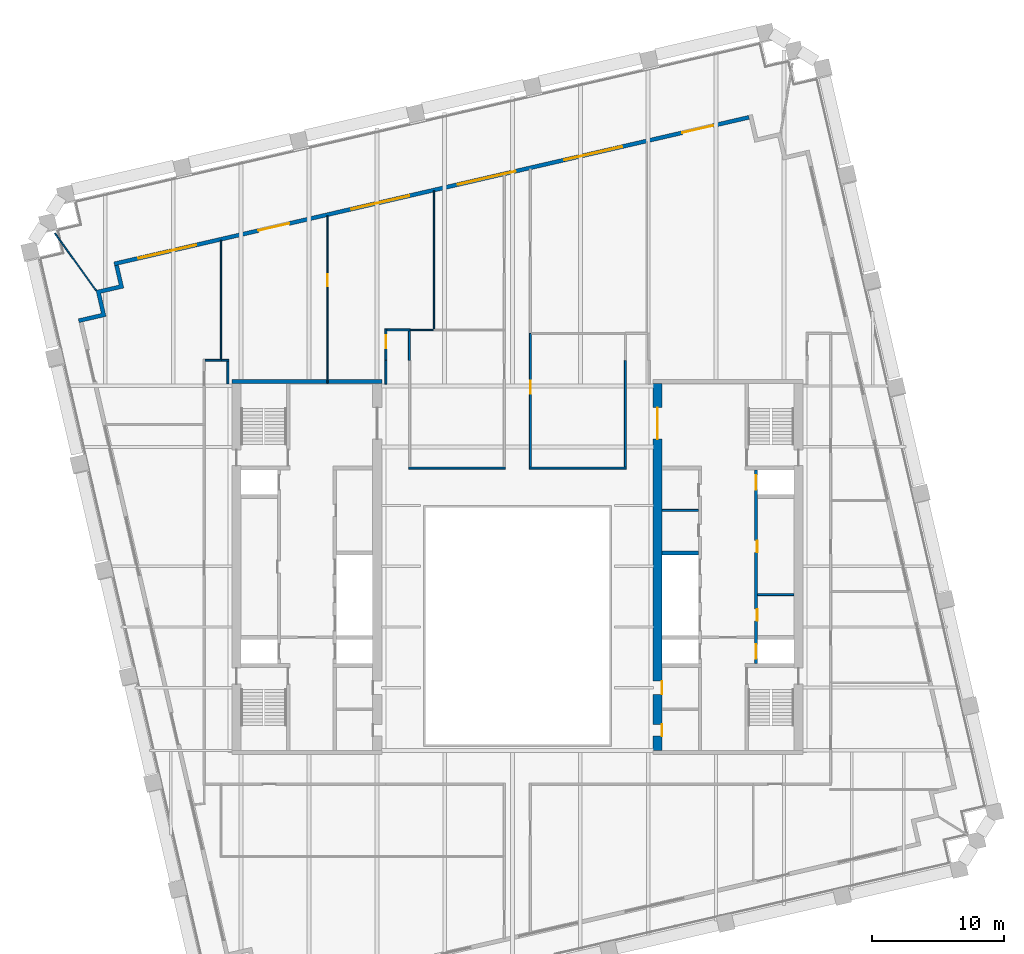
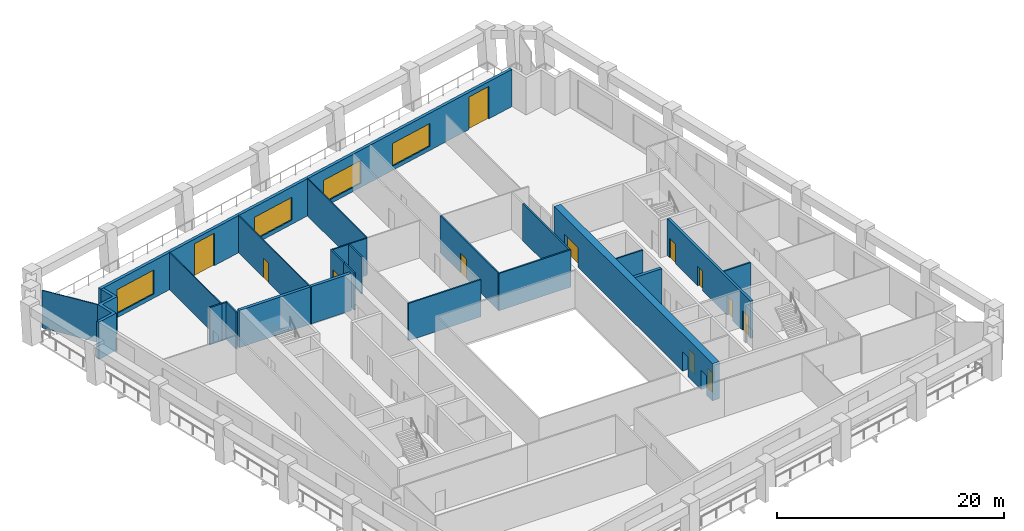
# One storey, part 6 of 10: 24 walls, 12 doors, 4 windows, 16 openings.
"""IFC4 building model written with IfcOpenShell, lengths in metres."""

from ifc_helpers import new_model, si_unit, direction, frame, frame_2d, origin, place, context, subcontext, project, spatial, polyline, rectangle, outline, extrude, material, layer, layer_set, type_object, element, fill, save


model = new_model("IFC4")

# Units and contexts
model_context = context("Model", 3, precision=1e-05, world=origin(), true_north=direction((0.0, 1.0)))
body_context = subcontext(model_context, "Body", "Model", "MODEL_VIEW")
ifc_project = project(units=[si_unit("LENGTHUNIT", "METRE"), si_unit("AREAUNIT", "SQUARE_METRE"), si_unit("VOLUMEUNIT", "CUBIC_METRE"), si_unit("PLANEANGLEUNIT", "RADIAN"), si_unit("MASSUNIT", "GRAM", prefix="KILO")], contexts=[model_context])

# Site, building, storey
site_placement = place(None, origin())
site = spatial("IfcSite", under=ifc_project, at=site_placement, CompositionType="ELEMENT")
building_placement = place(site_placement, origin())
building = spatial("IfcBuilding", under=site, at=building_placement, Name="Ogive Exchange Tower", CompositionType="ELEMENT")
storey_placement = place(building_placement, frame((0.0, 0.0, 205.199951171875)))
storey = spatial("IfcBuildingStorey", under=building, at=storey_placement, Name="L45", CompositionType="ELEMENT", Elevation=205.199951171875)

# Walls
ifc_material_1 = material(Name="Gypsum board partition")
ifc_layer_1 = layer(ifc_material_1, 0.14990234375)
ifc_layer_set_1 = layer_set([ifc_layer_1], Name="Core room partition 150 gypsum")
wall_type_1 = type_object("IfcWallType", Name="Core room partition 150 gypsum", PredefinedType="PARTITIONING", material=ifc_layer_set_1)
for number, where, z_axis, x_axis, name in (
    (1, (18.25, 9.39990234375, 0.0), (0.0, 0.0, 1.0), (1.0, 0.0, 0.0), "E row A bay partition 1-1"),
    (2, (11.0, 15.800048828125, 0.0), (0.0, 0.0, 1.0), (1.0, 0.0, 0.0), "E row B bay partition 4-1"),
):
    element("IfcWall", number, at=place(storey_placement, frame(where, z_axis=z_axis, x_axis=x_axis)), inside=storey, type_object=wall_type_1, Name=name, PredefinedType="PARTITIONING", context=body_context, shape_type="SweptSolid", body=[
        extrude(rectangle(XDim=2.75, YDim=0.14990234375, at=frame_2d((1.375, 0.0))), origin(), (0.0, 0.0, 1.0), 4.0),
    ])
ifc_material_2 = material(Name="Fire partition EI 60 150")
ifc_layer_2 = layer(ifc_material_2, 0.14990234375)
ifc_layer_set_2 = layer_set([ifc_layer_2], Name="Fire partition EI 60 150")
wall_type_2 = type_object("IfcWallType", Name="Fire partition EI 60 150", PredefinedType="PARTITIONING", material=ifc_layer_set_2)
wall_1_placement = place(storey_placement, frame((-23.72509765625, 27.199951171875, 0.0), z_axis=(0.0, 0.0, 1.0), x_axis=(1.0, 0.0, 0.0)))
element("IfcWall", 3, at=wall_1_placement, inside=storey, type_object=wall_type_2, Name="L45-PWL-005", PredefinedType="PARTITIONING", context=body_context, shape_type="SweptSolid", body=[
    extrude(rectangle(XDim=1.255126953125, YDim=0.14990234375, at=frame_2d((0.62744140625, 0.0))), origin(), (0.0, 0.0, 1.0), 4.0),
])
wall_2_placement = place(storey_placement, frame((-22.469970703125, 27.199951171875, 0.0), z_axis=(0.0, 0.0, 1.0), x_axis=(1.0, 0.0, 0.0)))
element("IfcWall", 4, at=wall_2_placement, inside=storey, type_object=wall_type_2, Name="L45-PWL-010", PredefinedType="PARTITIONING", context=body_context, shape_type="SweptSolid", body=[
    extrude(rectangle(XDim=0.544921875, YDim=0.14990234375, at=frame_2d((0.2724609375, 0.0))), origin(), (0.0, 0.0, 1.0), 4.0),
])
wall_3_placement = place(storey_placement, frame((-22.0, 27.125, 0.0), z_axis=(0.0, 0.0, 1.0), x_axis=(0.0, -1.0, 0.0)))
element("IfcWall", 5, at=wall_3_placement, inside=storey, type_object=wall_type_2, Name="L45-PWL-011", PredefinedType="PARTITIONING", context=body_context, shape_type="SweptSolid", body=[
    extrude(rectangle(XDim=1.72509765625, YDim=0.14990234375, at=frame_2d((0.862548828125, 0.0))), origin(), (0.0, 0.0, 1.0), 4.0),
])
wall_4_placement = place(storey_placement, frame((-10.0, 25.389892578125, 0.0), z_axis=(0.0, 0.0, 1.0), x_axis=(0.0, 1.0, 0.0)))
element("IfcWall", 6, at=wall_4_placement, inside=storey, type_object=wall_type_2, Name="L45-PWL-014", PredefinedType="PARTITIONING", context=body_context, shape_type="SweptSolid", body=[
    extrude(rectangle(XDim=1.81005859375, YDim=0.14990234375, at=frame_2d((0.905029296875, 0.0))), origin(), (0.0, 0.0, 1.0), 4.0),
])

# Wall, opening, door
wall_5_placement = place(storey_placement, frame((-9.989990234375, 27.199951171875, 0.0), z_axis=(0.0, 0.0, 1.0), x_axis=(0.0, 1.0, 0.0)))
wall_5 = element("IfcWall", 7, at=wall_5_placement, inside=storey, type_object=wall_type_2, Name="L45-PWL-015", PredefinedType="PARTITIONING", context=body_context, shape_type="SweptSolid", body=[
    extrude(rectangle(XDim=2.375, YDim=0.14990234375, at=frame_2d((1.1875, 0.0))), origin(), (0.0, 0.0, 1.0), 4.0),
])
opening_1_placement = place(wall_5_placement, frame((0.89990234375, 0.0, 0.0)))
opening_1 = element("IfcOpeningElement", 8, at=opening_1_placement, cuts=wall_5, Name="Opening L45-I03", PredefinedType="OPENING", context=body_context, shape_type="SweptSolid", body=[
    extrude(rectangle(XDim=1.0, YDim=2.10009765625, at=frame_2d((0.5, 1.050048828125))), frame((0.0, 0.0849609375, 0.0), z_axis=(0.0, -1.0, 0.0), x_axis=(1.0, 0.0, 0.0)), (0.0, 0.0, 1.0), 0.169921875),
])
ifc_material_3 = material(Name="Fire door FD 30S 1000 x 2100")
door_type_1 = type_object("IfcDoorType", Name="Fire door FD 30S 1000 x 2100", OperationType="NOTDEFINED", PredefinedType="DOOR", material=ifc_material_3)
door_1_placement = place(opening_1_placement, origin())
door_1 = element("IfcDoor", 9, at=door_1_placement, inside=storey, type_object=door_type_1, Name="L45-IDR-003", ObjectType="DT3", OperationType="SINGLE_SWING_LEFT", OverallHeight=2.10009765625, OverallWidth=1.0, PredefinedType="DOOR", context=body_context, shape_type="SweptSolid", body=[
    extrude(rectangle(XDim=1.0, YDim=2.10009765625, at=frame_2d((0.5, 1.050048828125))), frame((0.0, 0.02490234375, 0.0), z_axis=(0.0, -1.0, 0.0), x_axis=(1.0, 0.0, 0.0)), (0.0, 0.0, 1.0), 0.050048828125),
])
fill(opening_1, door_1)

# Walls
wall_6_placement = place(storey_placement, frame((-9.9150390625, 29.5, 0.0), z_axis=(0.0, 0.0, 1.0), x_axis=(1.0, 0.0, 0.0)))
element("IfcWall", 10, at=wall_6_placement, inside=storey, type_object=wall_type_2, Name="L45-PWL-016", PredefinedType="PARTITIONING", context=body_context, shape_type="SweptSolid", body=[
    extrude(rectangle(XDim=1.780029296875, YDim=0.14990234375, at=frame_2d((0.89013671875, 0.0))), origin(), (0.0, 0.0, 1.0), 4.0),
])
wall_7_placement = place(storey_placement, frame((-8.2099609375, 29.425048828125, 0.0), z_axis=(0.0, 0.0, 1.0), x_axis=(0.0, -1.0, 0.0)))
element("IfcWall", 11, at=wall_7_placement, inside=storey, type_object=wall_type_2, Name="L45-PWL-017", PredefinedType="PARTITIONING", context=body_context, shape_type="SweptSolid", body=[
    extrude(rectangle(XDim=2.22509765625, YDim=0.14990234375, at=frame_2d((1.112548828125, 0.0))), origin(), (0.0, 0.0, 1.0), 4.0),
])
for number, where, z_axis, x_axis, name in (
    (12, (-8.27490234375, 19.0, 0.0), (0.0, 0.0, 1.0), (1.0, 0.0, 0.0), "L45-PWL-019"),
    (13, (0.9150390625, 19.0, 0.0), (0.0, 0.0, 1.0), (1.0, 0.0, 0.0), "L45-PWL-030"),
):
    element("IfcWall", number, at=place(storey_placement, frame(where, z_axis=z_axis, x_axis=x_axis)), inside=storey, type_object=wall_type_2, Name=name, PredefinedType="PARTITIONING", context=body_context, shape_type="SweptSolid", body=[
        extrude(rectangle(XDim=7.35986328125, YDim=0.14990234375, at=frame_2d((3.679931640625, 0.0))), origin(), (0.0, 0.0, 1.0), 4.0),
    ])

# Wall, opening, door
wall_8_placement = place(storey_placement, frame((0.989990234375, 29.239990234375, 0.0), z_axis=(0.0, 0.0, 1.0), x_axis=(0.0, -1.0, 0.0)))
wall_8 = element("IfcWall", 14, at=wall_8_placement, inside=storey, type_object=wall_type_2, Name="L45-PWL-031", PredefinedType="PARTITIONING", context=body_context, shape_type="SweptSolid", body=[
    extrude(rectangle(XDim=10.1650390625, YDim=0.14990234375, at=frame_2d((5.08251953125, 0.0))), origin(), (0.0, 0.0, 1.0), 4.0),
])
opening_2_placement = place(wall_8_placement, frame((3.590087890625, 0.0, 0.0)))
opening_2 = element("IfcOpeningElement", 15, at=opening_2_placement, cuts=wall_8, Name="Opening L45-I09", PredefinedType="OPENING", context=body_context, shape_type="SweptSolid", body=[
    extrude(rectangle(XDim=1.0, YDim=2.10009765625, at=frame_2d((0.5, 1.050048828125))), frame((0.0, 0.0849609375, 0.0), z_axis=(0.0, -1.0, 0.0), x_axis=(1.0, 0.0, 0.0)), (0.0, 0.0, 1.0), 0.169921875),
])
door_2_placement = place(opening_2_placement, origin())
door_2 = element("IfcDoor", 16, at=door_2_placement, inside=storey, type_object=door_type_1, Name="L45-IDR-009", ObjectType="DT3", OperationType="SINGLE_SWING_RIGHT", OverallHeight=2.10009765625, OverallWidth=1.0, PredefinedType="DOOR", context=body_context, shape_type="SweptSolid", body=[
    extrude(rectangle(XDim=1.0, YDim=2.10009765625, at=frame_2d((0.5, 1.050048828125))), frame((0.0, 0.02490234375, 0.0), z_axis=(0.0, -1.0, 0.0), x_axis=(1.0, 0.0, 0.0)), (0.0, 0.0, 1.0), 0.050048828125),
])
fill(opening_2, door_2)

# Wall
wall_9_placement = place(storey_placement, frame((8.199951171875, 19.074951171875, 0.0), z_axis=(0.0, 0.0, 1.0), x_axis=(0.0, 1.0, 0.0)))
element("IfcWall", 17, at=wall_9_placement, inside=storey, type_object=wall_type_2, Name="L45-PWL-034", PredefinedType="PARTITIONING", context=body_context, shape_type="SweptSolid", body=[
    extrude(rectangle(XDim=8.125, YDim=0.14990234375, at=frame_2d((4.0625, 0.0))), origin(), (0.0, 0.0, 1.0), 4.0),
])

# Wall, openings, doors, windows
ifc_material_4 = material(Name="Precast concrete C40/50", Category="concrete")
ifc_layer_3 = layer(ifc_material_4, 0.300048828125)
ifc_layer_set_3 = layer_set([ifc_layer_3], Name="Limestone-faced wall 300")
wall_type_3 = type_object("IfcWallType", Name="Limestone-faced wall 300", PredefinedType="STANDARD", material=ifc_layer_set_3)
wall_10_placement = place(storey_placement, frame((17.592041015625, 45.6572265625, 0.0), z_axis=(0.0, 0.0, 1.0), x_axis=(-0.974370243697, -0.224950279389, 0.0)))
wall_10 = element("IfcWall", 18, at=wall_10_placement, inside=storey, type_object=wall_type_3, Name="External wall N3", PredefinedType="STANDARD", context=body_context, shape_type="SweptSolid", body=[
    extrude(rectangle(XDim=49.499755859375, YDim=0.300048828125, at=frame_2d((24.75, 0.0))), origin(), (0.0, 0.0, 1.0), 4.0),
])
opening_3_placement = place(wall_10_placement, frame((2.800048828125, 0.0, 0.0)))
opening_3 = element("IfcOpeningElement", 19, at=opening_3_placement, cuts=wall_10, Name="Opening D1", PredefinedType="OPENING", context=body_context, shape_type="SweptSolid", body=[
    extrude(rectangle(XDim=2.39990234375, YDim=3.5, at=frame_2d((1.199951171875, 1.75))), frame((0.0, 0.159912109375, 0.0), z_axis=(0.0, -1.0, 0.0), x_axis=(1.0, 0.0, 0.0)), (0.0, 0.0, 1.0), 0.320068359375),
])
opening_4_placement = place(wall_10_placement, frame((9.89990234375, 0.0, 0.449951171875)))
opening_4 = element("IfcOpeningElement", 20, at=opening_4_placement, cuts=wall_10, Name="Opening W1Q", PredefinedType="OPENING", context=body_context, shape_type="SweptSolid", body=[
    extrude(rectangle(XDim=4.5, YDim=2.449951171875, at=frame_2d((2.25, 1.22509765625))), frame((0.0, 0.159912109375, 0.0), z_axis=(0.0, -1.0, 0.0), x_axis=(1.0, 0.0, 0.0)), (0.0, 0.0, 1.0), 0.320068359375),
])
opening_5_placement = place(wall_10_placement, frame((18.199951171875, 0.0, 0.449951171875)))
opening_5 = element("IfcOpeningElement", 21, at=opening_5_placement, cuts=wall_10, Name="Opening W1Q", PredefinedType="OPENING", context=body_context, shape_type="SweptSolid", body=[
    extrude(rectangle(XDim=4.5, YDim=2.449951171875, at=frame_2d((2.25, 1.22509765625))), frame((0.0, 0.159912109375, 0.0), z_axis=(0.0, -1.0, 0.0), x_axis=(1.0, 0.0, 0.0)), (0.0, 0.0, 1.0), 0.320068359375),
])
opening_6_placement = place(wall_10_placement, frame((26.5, 0.0, 0.449951171875)))
opening_6 = element("IfcOpeningElement", 22, at=opening_6_placement, cuts=wall_10, Name="Opening W1Q", PredefinedType="OPENING", context=body_context, shape_type="SweptSolid", body=[
    extrude(rectangle(XDim=4.5, YDim=2.449951171875, at=frame_2d((2.25, 1.22509765625))), frame((0.0, 0.159912109375, 0.0), z_axis=(0.0, -1.0, 0.0), x_axis=(1.0, 0.0, 0.0)), (0.0, 0.0, 1.0), 0.320068359375),
])
opening_7_placement = place(wall_10_placement, frame((35.85009765625, 0.0, 0.0)))
opening_7 = element("IfcOpeningElement", 23, at=opening_7_placement, cuts=wall_10, Name="Opening D1", PredefinedType="OPENING", context=body_context, shape_type="SweptSolid", body=[
    extrude(rectangle(XDim=2.39990234375, YDim=3.5, at=frame_2d((1.199951171875, 1.75))), frame((0.0, 0.159912109375, 0.0), z_axis=(0.0, -1.0, 0.0), x_axis=(1.0, 0.0, 0.0)), (0.0, 0.0, 1.0), 0.320068359375),
])
opening_8_placement = place(wall_10_placement, frame((43.10009765625, 0.0, 0.449951171875)))
opening_8 = element("IfcOpeningElement", 24, at=opening_8_placement, cuts=wall_10, Name="Opening W1M", PredefinedType="OPENING", context=body_context, shape_type="SweptSolid", body=[
    extrude(rectangle(XDim=4.5, YDim=2.574951171875, at=frame_2d((2.25, 1.28759765625))), frame((0.0, 0.159912109375, 0.0), z_axis=(0.0, -1.0, 0.0), x_axis=(1.0, 0.0, 0.0)), (0.0, 0.0, 1.0), 0.320068359375),
])
ifc_material_5 = material(Name="Clear glass in bronze frame", Category="glass")
door_type_2 = type_object("IfcDoorType", Name="Sliding loggia door 2400 x 3500", OperationType="DOUBLE_DOOR_SLIDING", PredefinedType="DOOR", material=ifc_material_5)
door_3_placement = place(opening_3_placement, origin())
door_3 = element("IfcDoor", 25, at=door_3_placement, inside=storey, type_object=door_type_2, Name="Loggia door N00", OperationType="DOUBLE_DOOR_SLIDING", OverallHeight=3.5, OverallWidth=2.39990234375, PredefinedType="DOOR", context=body_context, shape_type="SweptSolid", body=[
    extrude(rectangle(XDim=2.39990234375, YDim=3.5, at=frame_2d((1.199951171875, 1.75))), frame((0.0, 0.02490234375, 0.0), z_axis=(0.0, -1.0, 0.0), x_axis=(1.0, 0.0, 0.0)), (0.0, 0.0, 1.0), 0.050048828125),
])
fill(opening_3, door_3)
door_4_placement = place(opening_7_placement, origin())
door_4 = element("IfcDoor", 26, at=door_4_placement, inside=storey, type_object=door_type_2, Name="Loggia door N04", OperationType="DOUBLE_DOOR_SLIDING", OverallHeight=3.5, OverallWidth=2.39990234375, PredefinedType="DOOR", context=body_context, shape_type="SweptSolid", body=[
    extrude(rectangle(XDim=2.39990234375, YDim=3.5, at=frame_2d((1.199951171875, 1.75))), frame((0.0, 0.02490234375, 0.0), z_axis=(0.0, -1.0, 0.0), x_axis=(1.0, 0.0, 0.0)), (0.0, 0.0, 1.0), 0.050048828125),
])
fill(opening_7, door_4)
window_type_1 = type_object("IfcWindowType", Name="Twin lancet window 4500 x 2450", PartitioningType="DOUBLE_PANEL_VERTICAL", PredefinedType="WINDOW", material=ifc_material_5)
window_1_placement = place(opening_4_placement, origin())
window_1 = element("IfcWindow", 27, at=window_1_placement, inside=storey, type_object=window_type_1, Name="Window N01", OverallHeight=2.449951171875, OverallWidth=4.5, PartitioningType="DOUBLE_PANEL_VERTICAL", PredefinedType="WINDOW", context=body_context, shape_type="SweptSolid", body=[
    extrude(rectangle(XDim=4.5, YDim=2.449951171875, at=frame_2d((2.25, 1.22509765625))), frame((0.0, 0.030029296875, 0.0), z_axis=(0.0, -1.0, 0.0), x_axis=(1.0, 0.0, 0.0)), (0.0, 0.0, 1.0), 0.06005859375),
])
fill(opening_4, window_1)
window_2_placement = place(opening_5_placement, origin())
window_2 = element("IfcWindow", 28, at=window_2_placement, inside=storey, type_object=window_type_1, Name="Window N02", OverallHeight=2.449951171875, OverallWidth=4.5, PartitioningType="DOUBLE_PANEL_VERTICAL", PredefinedType="WINDOW", context=body_context, shape_type="SweptSolid", body=[
    extrude(rectangle(XDim=4.5, YDim=2.449951171875, at=frame_2d((2.25, 1.22509765625))), frame((0.0, 0.030029296875, 0.0), z_axis=(0.0, -1.0, 0.0), x_axis=(1.0, 0.0, 0.0)), (0.0, 0.0, 1.0), 0.06005859375),
])
fill(opening_5, window_2)
window_3_placement = place(opening_6_placement, origin())
window_3 = element("IfcWindow", 29, at=window_3_placement, inside=storey, type_object=window_type_1, Name="Window N03", OverallHeight=2.449951171875, OverallWidth=4.5, PartitioningType="DOUBLE_PANEL_VERTICAL", PredefinedType="WINDOW", context=body_context, shape_type="SweptSolid", body=[
    extrude(rectangle(XDim=4.5, YDim=2.449951171875, at=frame_2d((2.25, 1.22509765625))), frame((0.0, 0.030029296875, 0.0), z_axis=(0.0, -1.0, 0.0), x_axis=(1.0, 0.0, 0.0)), (0.0, 0.0, 1.0), 0.06005859375),
])
fill(opening_6, window_3)
window_type_2 = type_object("IfcWindowType", Name="Twin lancet window 4500 x 2575", PartitioningType="DOUBLE_PANEL_VERTICAL", PredefinedType="WINDOW", material=ifc_material_5)
window_4_placement = place(opening_8_placement, origin())
window_4 = element("IfcWindow", 30, at=window_4_placement, inside=storey, type_object=window_type_2, Name="Window N05", OverallHeight=2.574951171875, OverallWidth=4.5, PartitioningType="DOUBLE_PANEL_VERTICAL", PredefinedType="WINDOW", context=body_context, shape_type="SweptSolid", body=[
    extrude(rectangle(XDim=4.5, YDim=2.574951171875, at=frame_2d((2.25, 1.28759765625))), frame((0.0, 0.030029296875, 0.0), z_axis=(0.0, -1.0, 0.0), x_axis=(1.0, 0.0, 0.0)), (0.0, 0.0, 1.0), 0.06005859375),
])
fill(opening_8, window_4)

# Walls
wall_11_placement = place(storey_placement, origin())
element("IfcWall", 31, at=wall_11_placement, inside=storey, type_object=wall_type_3, Name="External corner wall C3", PredefinedType="STANDARD", context=body_context, shape_type="SweptSolid", body=[
    extrude(outline(polyline([(-31.616943359375, 30.755615234375), (-32.02197265625, 32.509521484375), (-30.26806640625, 32.914306640625), (-30.60546875, 34.3759765625), (-30.31298828125, 34.443359375), (-29.908203125, 32.689697265625), (-31.662109375, 32.28466796875), (-31.257080078125, 30.53076171875), (-33.30322265625, 30.058349609375), (-33.370849609375, 30.3505859375), (-31.616943359375, 30.755615234375)])), origin(), (0.0, 0.0, 1.0), 4.0),
])
ifc_material_6 = material(Name="Laminated safety glass in steel frame", Category="steel")
ifc_layer_4 = layer(ifc_material_6, 0.10009765625)
ifc_layer_set_4 = layer_set([ifc_layer_4], Name="Loggia end screen 100")
wall_type_4 = type_object("IfcWallType", Name="Loggia end screen 100", PredefinedType="STANDARD", material=ifc_layer_set_4)
wall_12_placement = place(storey_placement, frame((-32.02197265625, 32.509521484375, -0.050048828125), z_axis=(0.0, 0.0, 1.0), x_axis=(-0.5840277604, 0.811733684826, 0.0)))
element("IfcWall", 32, at=wall_12_placement, inside=storey, type_object=wall_type_4, Name="Loggia end screen C3", PredefinedType="STANDARD", context=body_context, shape_type="SweptSolid", body=[
    extrude(rectangle(XDim=5.341552734375, YDim=0.10009765625, at=frame_2d((2.6708984375, 0.0))), origin(), (0.0, 0.0, 1.0), 4.050048828125),
])
ifc_material_7 = material(Name="Partition 100 gypsum")
ifc_layer_5 = layer(ifc_material_7, 0.10009765625)
ifc_layer_set_5 = layer_set([ifc_layer_5], Name="Partition 100 gypsum")
wall_type_5 = type_object("IfcWallType", Name="Partition 100 gypsum", PredefinedType="PARTITIONING", material=ifc_layer_set_5)
wall_13_placement = place(storey_placement, frame((-22.52001953125, 27.27490234375, 0.0), z_axis=(0.0, 0.0, 1.0), x_axis=(0.0, 1.0, 0.0)))
element("IfcWall", 33, at=wall_13_placement, inside=storey, type_object=wall_type_5, Name="L45-PWL-009", PredefinedType="PARTITIONING", context=body_context, shape_type="SweptSolid", body=[
    extrude(rectangle(XDim=9.050048828125, YDim=0.10009765625, at=frame_2d((4.52490234375, 0.0))), origin(), (0.0, 0.0, 1.0), 4.0),
])

# Wall, opening, door
wall_14_placement = place(storey_placement, frame((-14.429931640625, 38.193115234375, 0.0), z_axis=(0.0, 0.0, 1.0), x_axis=(0.0, -1.0, 0.0)))
wall_14 = element("IfcWall", 34, at=wall_14_placement, inside=storey, type_object=wall_type_5, Name="L45-PWL-012", PredefinedType="PARTITIONING", context=body_context, shape_type="SweptSolid", body=[
    extrude(rectangle(XDim=12.793212890625, YDim=0.10009765625, at=frame_2d((6.396484375, 0.0))), origin(), (0.0, 0.0, 1.0), 4.0),
])
opening_9_placement = place(wall_14_placement, frame((4.472900390625, 0.0, 0.0)))
opening_9 = element("IfcOpeningElement", 35, at=opening_9_placement, cuts=wall_14, Name="Opening L45-I01", PredefinedType="OPENING", context=body_context, shape_type="SweptSolid", body=[
    extrude(rectangle(XDim=0.89990234375, YDim=2.10009765625, at=frame_2d((0.449951171875, 1.050048828125))), frame((0.0, 0.06005859375, 0.0), z_axis=(0.0, -1.0, 0.0), x_axis=(1.0, 0.0, 0.0)), (0.0, 0.0, 1.0), 0.1201171875),
])
ifc_material_8 = material(Name="Door 900 x 2100")
door_type_3 = type_object("IfcDoorType", Name="Door 900 x 2100", OperationType="NOTDEFINED", PredefinedType="DOOR", material=ifc_material_8)
door_5_placement = place(opening_9_placement, frame((0.89990234375, 0.0, 0.0), z_axis=(0.0, 0.0, 1.0), x_axis=(-1.0, 0.0, 0.0)))
door_5 = element("IfcDoor", 36, at=door_5_placement, inside=storey, type_object=door_type_3, Name="L45-IDR-001", ObjectType="DT1", OperationType="SINGLE_SWING_RIGHT", OverallHeight=2.10009765625, OverallWidth=0.89990234375, PredefinedType="DOOR", context=body_context, shape_type="SweptSolid", body=[
    extrude(rectangle(XDim=0.89990234375, YDim=2.10009765625, at=frame_2d((0.449951171875, 1.050048828125))), frame((0.0, 0.02490234375, 0.0), z_axis=(0.0, -1.0, 0.0), x_axis=(1.0, 0.0, 0.0)), (0.0, 0.0, 1.0), 0.050048828125),
])
fill(opening_9, door_5)

# Walls
wall_15_placement = place(storey_placement, frame((-8.135009765625, 29.5, 0.0), z_axis=(0.0, 0.0, 1.0), x_axis=(1.0, 0.0, 0.0)))
element("IfcWall", 37, at=wall_15_placement, inside=storey, type_object=wall_type_5, Name="L45-PWL-018", PredefinedType="PARTITIONING", context=body_context, shape_type="SweptSolid", body=[
    extrude(rectangle(XDim=1.7451171875, YDim=0.10009765625, at=frame_2d((0.87255859375, 0.0))), origin(), (0.0, 0.0, 1.0), 4.0),
])
wall_16_placement = place(storey_placement, frame((-6.340087890625, 40.06103515625, 0.0), z_axis=(0.0, 0.0, 1.0), x_axis=(0.0, -1.0, 0.0)))
element("IfcWall", 38, at=wall_16_placement, inside=storey, type_object=wall_type_5, Name="L45-PWL-022", PredefinedType="PARTITIONING", context=body_context, shape_type="SweptSolid", body=[
    extrude(rectangle(XDim=10.510986328125, YDim=0.10009765625, at=frame_2d((5.25537109375, 0.0))), origin(), (0.0, 0.0, 1.0), 4.0),
])

# Wall, openings, doors
ifc_material_9 = material(Name="Concrete C70/85", Category="concrete")
ifc_layer_6 = layer(ifc_material_9, 0.25)
ifc_layer_set_6 = layer_set([ifc_layer_6], Name="RC core wall 250 C70/85")
wall_type_6 = type_object("IfcWallType", Name="RC core wall 250 C70/85", PredefinedType="SHEAR", material=ifc_layer_set_6)
wall_17_placement = place(storey_placement, frame((18.125, 4.14990234375, 0.0), z_axis=(0.0, 0.0, 1.0), x_axis=(0.0, 1.0, 0.0)))
wall_17 = element("IfcWall", 39, at=wall_17_placement, inside=storey, type_object=wall_type_6, Name="E row A front wall", PredefinedType="SHEAR", context=body_context, shape_type="SweptSolid", body=[
    extrude(rectangle(XDim=14.7001953125, YDim=0.25, at=frame_2d((7.35009765625, 0.0))), origin(), (0.0, 0.0, 1.0), 4.0),
])
opening_10_placement = place(wall_17_placement, frame((3.246337890625, 0.0, 0.0)))
opening_10 = element("IfcOpeningElement", 40, at=opening_10_placement, cuts=wall_17, Name="Opening L45-C17", PredefinedType="OPENING", context=body_context, shape_type="SweptSolid", body=[
    extrude(rectangle(XDim=0.89990234375, YDim=2.10009765625, at=frame_2d((0.449951171875, 1.050048828125))), frame((0.0, 0.135009765625, 0.0), z_axis=(0.0, -1.0, 0.0), x_axis=(1.0, 0.0, 0.0)), (0.0, 0.0, 1.0), 0.27001953125),
])
opening_11_placement = place(wall_17_placement, frame((8.45361328125, 0.0, 0.0)))
opening_11 = element("IfcOpeningElement", 41, at=opening_11_placement, cuts=wall_17, Name="Opening L45-C18", PredefinedType="OPENING", context=body_context, shape_type="SweptSolid", body=[
    extrude(rectangle(XDim=0.89990234375, YDim=2.10009765625, at=frame_2d((0.449951171875, 1.050048828125))), frame((0.0, 0.135009765625, 0.0), z_axis=(0.0, -1.0, 0.0), x_axis=(1.0, 0.0, 0.0)), (0.0, 0.0, 1.0), 0.27001953125),
])
opening_12_placement = place(wall_17_placement, frame((0.371337890625, 0.0, 0.0)))
opening_12 = element("IfcOpeningElement", 42, at=opening_12_placement, cuts=wall_17, Name="Opening L45-C19", PredefinedType="OPENING", context=body_context, shape_type="SweptSolid", body=[
    extrude(rectangle(XDim=1.10009765625, YDim=2.10009765625, at=frame_2d((0.550048828125, 1.050048828125))), frame((0.0, 0.135009765625, 0.0), z_axis=(0.0, -1.0, 0.0), x_axis=(1.0, 0.0, 0.0)), (0.0, 0.0, 1.0), 0.27001953125),
])
opening_13_placement = place(wall_17_placement, frame((13.228515625, 0.0, 0.0)))
opening_13 = element("IfcOpeningElement", 43, at=opening_13_placement, cuts=wall_17, Name="Opening L45-C20", PredefinedType="OPENING", context=body_context, shape_type="SweptSolid", body=[
    extrude(rectangle(XDim=1.10009765625, YDim=2.10009765625, at=frame_2d((0.550048828125, 1.050048828125))), frame((0.0, 0.135009765625, 0.0), z_axis=(0.0, -1.0, 0.0), x_axis=(1.0, 0.0, 0.0)), (0.0, 0.0, 1.0), 0.27001953125),
])
ifc_material_10 = material(Name="Stainless steel", Category="steel")
door_type_4 = type_object("IfcDoorType", Name="Lift landing door FD90 1100 x 2100", OperationType="SLIDING_TO_LEFT", PredefinedType="DOOR", material=ifc_material_10)
door_6_placement = place(opening_12_placement, origin())
door_6 = element("IfcDoor", 44, at=door_6_placement, inside=storey, type_object=door_type_4, Name="Lift landing door FF2", ObjectType="LD", OperationType="SLIDING_TO_LEFT", OverallHeight=2.10009765625, OverallWidth=1.10009765625, PredefinedType="DOOR", context=body_context, shape_type="SweptSolid", body=[
    extrude(rectangle(XDim=1.10009765625, YDim=2.10009765625, at=frame_2d((0.550048828125, 1.050048828125))), frame((0.0, 0.02490234375, 0.0), z_axis=(0.0, -1.0, 0.0), x_axis=(1.0, 0.0, 0.0)), (0.0, 0.0, 1.0), 0.050048828125),
])
fill(opening_12, door_6)
door_7_placement = place(opening_13_placement, origin())
door_7 = element("IfcDoor", 45, at=door_7_placement, inside=storey, type_object=door_type_4, Name="Lift landing door E-SH2", ObjectType="LD", OperationType="SLIDING_TO_LEFT", OverallHeight=2.10009765625, OverallWidth=1.10009765625, PredefinedType="DOOR", context=body_context, shape_type="SweptSolid", body=[
    extrude(rectangle(XDim=1.10009765625, YDim=2.10009765625, at=frame_2d((0.550048828125, 1.050048828125))), frame((0.0, 0.02490234375, 0.0), z_axis=(0.0, -1.0, 0.0), x_axis=(1.0, 0.0, 0.0)), (0.0, 0.0, 1.0), 0.050048828125),
])
fill(opening_13, door_7)
ifc_material_11 = material(Name="Steel fire door", Category="steel")
door_type_5 = type_object("IfcDoorType", Name="Riser door FD60 900 x 2100", OperationType="NOTDEFINED", PredefinedType="DOOR", material=ifc_material_11)
door_8_placement = place(opening_10_placement, frame((0.89990234375, -0.2001953125, 0.0), z_axis=(0.0, 0.0, 1.0), x_axis=(-1.0, 0.0, 0.0)))
door_8 = element("IfcDoor", 46, at=door_8_placement, inside=storey, type_object=door_type_5, Name="Riser door", ObjectType="CD2", OperationType="SINGLE_SWING_RIGHT", OverallHeight=2.10009765625, OverallWidth=0.89990234375, PredefinedType="DOOR", context=body_context, shape_type="SweptSolid", body=[
    extrude(rectangle(XDim=0.89990234375, YDim=2.10009765625, at=frame_2d((0.449951171875, 1.050048828125))), frame((0.0, -0.0751953125, 0.0), z_axis=(0.0, -1.0, 0.0), x_axis=(1.0, 0.0, 0.0)), (0.0, 0.0, 1.0), 0.050048828125),
])
fill(opening_10, door_8)
door_9_placement = place(opening_11_placement, frame((0.89990234375, -0.2001953125, 0.0), z_axis=(0.0, 0.0, 1.0), x_axis=(-1.0, 0.0, 0.0)))
door_9 = element("IfcDoor", 47, at=door_9_placement, inside=storey, type_object=door_type_5, Name="Riser door", ObjectType="CD2", OperationType="SINGLE_SWING_LEFT", OverallHeight=2.10009765625, OverallWidth=0.89990234375, PredefinedType="DOOR", context=body_context, shape_type="SweptSolid", body=[
    extrude(rectangle(XDim=0.89990234375, YDim=2.10009765625, at=frame_2d((0.449951171875, 1.050048828125))), frame((0.0, -0.0751953125, 0.0), z_axis=(0.0, -1.0, 0.0), x_axis=(1.0, 0.0, 0.0)), (0.0, 0.0, 1.0), 0.050048828125),
])
fill(opening_11, door_9)

# Walls
ifc_layer_7 = layer(ifc_material_9, 0.300048828125)
ifc_layer_set_7 = layer_set([ifc_layer_7], Name="RC core wall 300 C70/85")
wall_type_7 = type_object("IfcWallType", Name="RC core wall 300 C70/85", PredefinedType="SHEAR", material=ifc_layer_set_7)
wall_18_placement = place(storey_placement, frame((-21.699951171875, 25.60009765625, 0.0), z_axis=(0.0, 0.0, 1.0), x_axis=(1.0, 0.0, 0.0)))
element("IfcWall", 48, at=wall_18_placement, inside=storey, type_object=wall_type_7, Name="W north end wall", PredefinedType="SHEAR", context=body_context, shape_type="SweptSolid", body=[
    extrude(rectangle(XDim=11.39990234375, YDim=0.300048828125, at=frame_2d((5.699951171875, 0.0))), origin(), (0.0, 0.0, 1.0), 4.0),
])
wall_19_placement = place(storey_placement, frame((11.0, 12.5712890625, 0.0), z_axis=(0.0, 0.0, 1.0), x_axis=(1.0, 0.0, 0.0)))
element("IfcWall", 49, at=wall_19_placement, inside=storey, type_object=wall_type_7, Name="E row B divider 4", PredefinedType="SHEAR", context=body_context, shape_type="SweptSolid", body=[
    extrude(rectangle(XDim=2.75, YDim=0.300048828125, at=frame_2d((1.375, 0.0))), origin(), (0.0, 0.0, 1.0), 4.0),
])

# Wall, openings, doors
ifc_layer_8 = layer(ifc_material_9, 0.699951171875)
ifc_layer_set_8 = layer_set([ifc_layer_8], Name="RC core wall 700 C70/85")
wall_type_8 = type_object("IfcWallType", Name="RC core wall 700 C70/85", PredefinedType="SHEAR", material=ifc_layer_set_8)
wall_20_placement = place(storey_placement, frame((10.64990234375, -2.449951171875, 0.0), z_axis=(0.0, 0.0, 1.0), x_axis=(0.0, 1.0, 0.0)))
wall_20 = element("IfcWall", 50, at=wall_20_placement, inside=storey, type_object=wall_type_8, Name="E inner wall", PredefinedType="SHEAR", context=body_context, shape_type="SweptSolid", body=[
    extrude(rectangle(XDim=27.89990234375, YDim=0.699951171875, at=frame_2d((13.949951171875, 0.0))), origin(), (0.0, 0.0, 1.0), 4.0),
])
opening_14_placement = place(wall_20_placement, frame((23.64990234375, 0.0, 0.0)))
opening_14 = element("IfcOpeningElement", 51, at=opening_14_placement, cuts=wall_20, Name="Opening L45-C28", PredefinedType="OPENING", context=body_context, shape_type="SweptSolid", body=[
    extrude(rectangle(XDim=2.39990234375, YDim=2.10009765625, at=frame_2d((1.199951171875, 1.050048828125))), frame((0.0, 0.35986328125, 0.0), z_axis=(0.0, -1.0, 0.0), x_axis=(1.0, 0.0, 0.0)), (0.0, 0.0, 1.0), 0.719970703125),
])
opening_15_placement = place(wall_20_placement, frame((1.08740234375, 0.0, 0.0)))
opening_15 = element("IfcOpeningElement", 52, at=opening_15_placement, cuts=wall_20, Name="Opening L45-C33", PredefinedType="OPENING", context=body_context, shape_type="SweptSolid", body=[
    extrude(rectangle(XDim=0.89990234375, YDim=2.10009765625, at=frame_2d((0.449951171875, 1.050048828125))), frame((0.0, 0.35986328125, 0.0), z_axis=(0.0, -1.0, 0.0), x_axis=(1.0, 0.0, 0.0)), (0.0, 0.0, 1.0), 0.719970703125),
])
opening_16_placement = place(wall_20_placement, frame((4.262451171875, 0.0, 0.0)))
opening_16 = element("IfcOpeningElement", 53, at=opening_16_placement, cuts=wall_20, Name="Opening L45-C34", PredefinedType="OPENING", context=body_context, shape_type="SweptSolid", body=[
    extrude(rectangle(XDim=1.0, YDim=2.10009765625, at=frame_2d((0.5, 1.050048828125))), frame((0.0, 0.35986328125, 0.0), z_axis=(0.0, -1.0, 0.0), x_axis=(1.0, 0.0, 0.0)), (0.0, 0.0, 1.0), 0.719970703125),
])
ifc_material_12 = material(Name="Timber fire door", Category="wood")
door_type_6 = type_object("IfcDoorType", Name="Accessible WC door FD30S 1000 x 2100", OperationType="NOTDEFINED", PredefinedType="DOOR", material=ifc_material_12)
door_10_placement = place(opening_16_placement, frame((1.0, -0.64990234375, 0.0), z_axis=(0.0, 0.0, 1.0), x_axis=(-1.0, 0.0, 0.0)))
door_10 = element("IfcDoor", 54, at=door_10_placement, inside=storey, type_object=door_type_6, Name="Accessible WC door", ObjectType="CD7", OperationType="SINGLE_SWING_RIGHT", OverallHeight=2.10009765625, OverallWidth=1.0, PredefinedType="DOOR", context=body_context, shape_type="SweptSolid", body=[
    extrude(rectangle(XDim=1.0, YDim=2.10009765625, at=frame_2d((0.5, 1.050048828125))), frame((0.0, -0.2998046875, 0.0), z_axis=(0.0, -1.0, 0.0), x_axis=(1.0, 0.0, 0.0)), (0.0, 0.0, 1.0), 0.050048828125),
])
fill(opening_16, door_10)
door_type_7 = type_object("IfcDoorType", Name="Core room door FD30S 900 x 2100", OperationType="NOTDEFINED", PredefinedType="DOOR", material=ifc_material_12)
door_11_placement = place(opening_15_placement, frame((0.89990234375, -0.64990234375, 0.0), z_axis=(0.0, 0.0, 1.0), x_axis=(-1.0, 0.0, 0.0)))
door_11 = element("IfcDoor", 55, at=door_11_placement, inside=storey, type_object=door_type_7, Name="Core room door", ObjectType="CD6", OperationType="SINGLE_SWING_LEFT", OverallHeight=2.10009765625, OverallWidth=0.89990234375, PredefinedType="DOOR", context=body_context, shape_type="SweptSolid", body=[
    extrude(rectangle(XDim=0.89990234375, YDim=2.10009765625, at=frame_2d((0.449951171875, 1.050048828125))), frame((0.0, -0.2998046875, 0.0), z_axis=(0.0, -1.0, 0.0), x_axis=(1.0, 0.0, 0.0)), (0.0, 0.0, 1.0), 0.050048828125),
])
fill(opening_15, door_11)
ifc_material_13 = material(Name="Glazed steel fire door", Category="steel")
door_type_8 = type_object("IfcDoorType", Name="Lift lobby double door FD60 2400 x 2100", OperationType="DOUBLE_DOOR_SINGLE_SWING", PredefinedType="DOOR", material=ifc_material_13)
door_12_placement = place(opening_14_placement, origin())
door_12 = element("IfcDoor", 56, at=door_12_placement, inside=storey, type_object=door_type_8, Name="Lift lobby double door", ObjectType="CD4", OperationType="DOUBLE_DOOR_SINGLE_SWING", OverallHeight=2.10009765625, OverallWidth=2.39990234375, PredefinedType="DOOR", context=body_context, shape_type="SweptSolid", body=[
    extrude(rectangle(XDim=2.39990234375, YDim=2.10009765625, at=frame_2d((1.199951171875, 1.050048828125))), frame((0.0, 0.02490234375, 0.0), z_axis=(0.0, -1.0, 0.0), x_axis=(1.0, 0.0, 0.0)), (0.0, 0.0, 1.0), 0.050048828125),
])
fill(opening_14, door_12)

save(model, "model.ifc")
